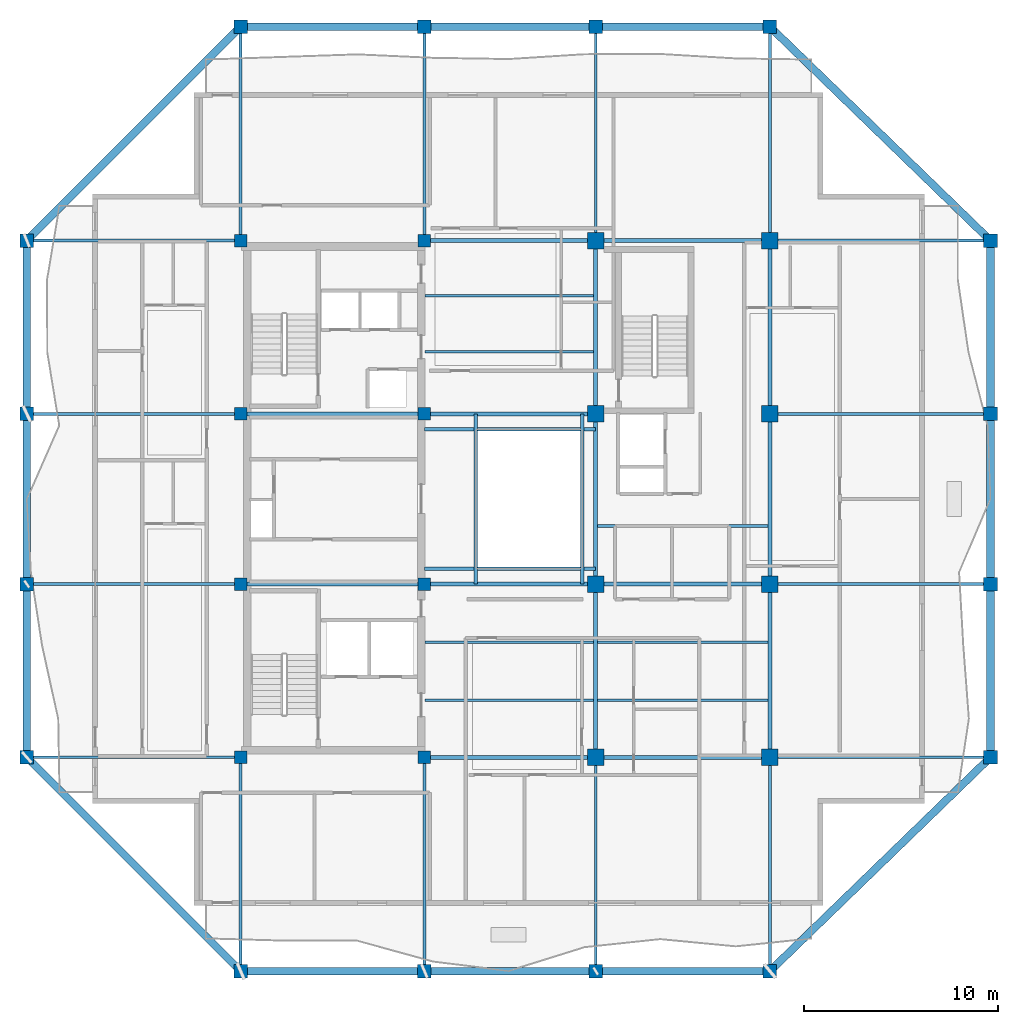
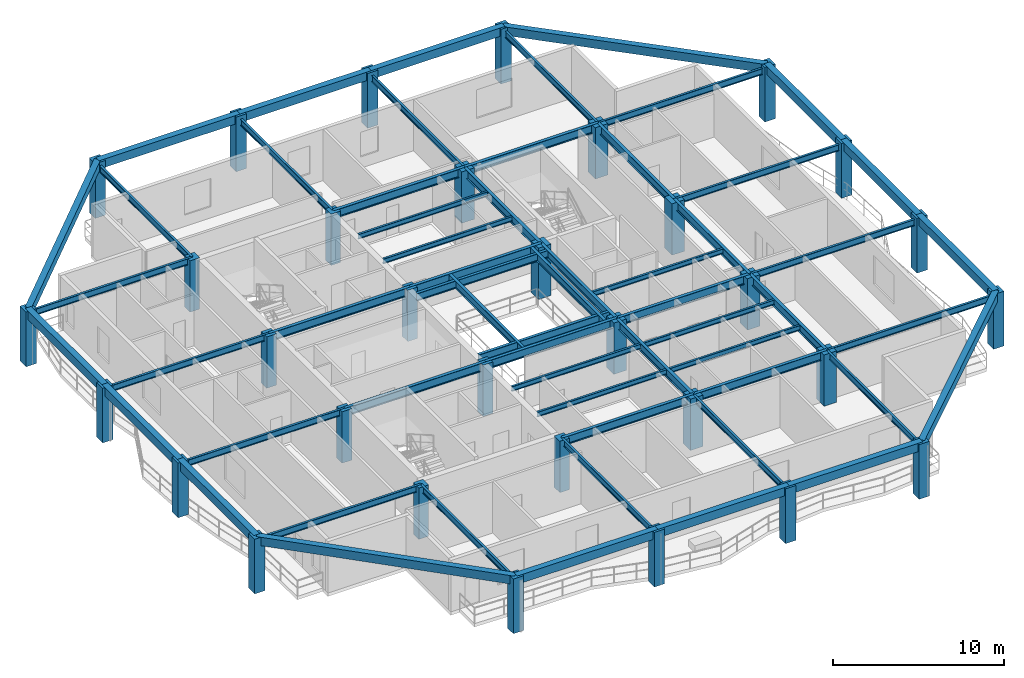
# One storey, part 1 of 11: 58 beams, 32 columns.
"""IFC4 building model written with IfcOpenShell, lengths in metres."""

from ifc_helpers import new_model, si_unit, direction, frame, origin, origin_2d, place, context, subcontext, project, spatial, rectangle, i_section, extrude, material, material_profile, profile_set, type_object, element, save


model = new_model("IFC4")

# Units and contexts
model_context = context("Model", 3, precision=1e-05, world=origin(), true_north=direction((0.0, 1.0)))
body_context = subcontext(model_context, "Body", "Model", "MODEL_VIEW")
ifc_project = project(units=[si_unit("LENGTHUNIT", "METRE"), si_unit("AREAUNIT", "SQUARE_METRE"), si_unit("VOLUMEUNIT", "CUBIC_METRE"), si_unit("PLANEANGLEUNIT", "RADIAN"), si_unit("MASSUNIT", "GRAM", prefix="KILO")], contexts=[model_context])

# Site, building, storey
site_placement = place(None, origin())
site = spatial("IfcSite", under=ifc_project, at=site_placement, CompositionType="ELEMENT")
building_placement = place(site_placement, origin())
building = spatial("IfcBuilding", under=site, at=building_placement, Name="Kundavana Baori Tower", CompositionType="ELEMENT")
storey_placement = place(building_placement, frame((0.0, 0.0, 257.0)))
storey = spatial("IfcBuildingStorey", under=building, at=storey_placement, Name="L63", CompositionType="ELEMENT", Elevation=257.0)

# Columns
ifc_material_1 = material(Name="Concrete C50/60", Category="concrete")
ifc_material_profile_1 = material_profile(ifc_material_1, rectangle(XDim=0.699951171875, YDim=0.699951171875, at=origin_2d()), Name="RC PF 700x700")
ifc_profile_set_1 = profile_set([ifc_material_profile_1], Name="Concrete C50/60")
column_type_1 = type_object("IfcColumnType", Name="COL-PF-700", PredefinedType="COLUMN", material=ifc_profile_set_1)
for number, where, z_axis, x_axis, name in (
    (1, (15.449951171875, 4.199951171875, 0.0), (0.0, 0.0, 1.0), (1.0, 0.0, 0.0), "L63 Stone-Clad Perimeter Frame Column PF-S1"),
    (2, (15.449951171875, 53.0, 0.0), (0.0, 0.0, 1.0), (1.0, 0.0, 0.0), "L63 Stone-Clad Perimeter Frame Column PF-N1"),
    (3, (24.949951171875, 4.199951171875, 0.0), (0.0, 0.0, 1.0), (1.0, 0.0, 0.0), "L63 Stone-Clad Perimeter Frame Column PF-S2"),
    (4, (24.949951171875, 53.0, 0.0), (0.0, 0.0, 1.0), (1.0, 0.0, 0.0), "L63 Stone-Clad Perimeter Frame Column PF-N2"),
    (5, (33.800048828125, 4.199951171875, 0.0), (0.0, 0.0, 1.0), (1.0, 0.0, 0.0), "L63 Stone-Clad Perimeter Frame Column PF-S3"),
    (6, (33.800048828125, 53.0, 0.0), (0.0, 0.0, 1.0), (1.0, 0.0, 0.0), "L63 Stone-Clad Perimeter Frame Column PF-N3"),
    (7, (42.800048828125, 4.199951171875, 0.0), (0.0, 0.0, 1.0), (1.0, 0.0, 0.0), "L63 Stone-Clad Perimeter Frame Column PF-S4"),
    (8, (42.800048828125, 53.0, 0.0), (0.0, 0.0, 1.0), (1.0, 0.0, 0.0), "L63 Stone-Clad Perimeter Frame Column PF-N4"),
    (9, (4.39990234375, 15.25, 0.0), (0.0, 0.0, 1.0), (1.0, 0.0, 0.0), "L63 Stone-Clad Perimeter Frame Column PF-W1"),
    (10, (54.199951171875, 15.25, 0.0), (0.0, 0.0, 1.0), (1.0, 0.0, 0.0), "L63 Stone-Clad Perimeter Frame Column PF-E1"),
    (11, (4.39990234375, 24.199951171875, 0.0), (0.0, 0.0, 1.0), (1.0, 0.0, 0.0), "L63 Stone-Clad Perimeter Frame Column PF-W2"),
    (12, (54.199951171875, 24.199951171875, 0.0), (0.0, 0.0, 1.0), (1.0, 0.0, 0.0), "L63 Stone-Clad Perimeter Frame Column PF-E2"),
    (13, (4.39990234375, 33.0, 0.0), (0.0, 0.0, 1.0), (1.0, 0.0, 0.0), "L63 Stone-Clad Perimeter Frame Column PF-W3"),
    (14, (54.199951171875, 33.0, 0.0), (0.0, 0.0, 1.0), (1.0, 0.0, 0.0), "L63 Stone-Clad Perimeter Frame Column PF-E3"),
    (15, (4.39990234375, 41.949951171875, 0.0), (0.0, 0.0, 1.0), (1.0, 0.0, 0.0), "L63 Stone-Clad Perimeter Frame Column PF-W4"),
    (16, (54.199951171875, 41.949951171875, 0.0), (0.0, 0.0, 1.0), (1.0, 0.0, 0.0), "L63 Stone-Clad Perimeter Frame Column PF-E4"),
):
    element("IfcColumn", number, at=place(storey_placement, frame(where, z_axis=z_axis, x_axis=x_axis)), inside=storey, type_object=column_type_1, Name=name, PredefinedType="COLUMN", context=body_context, shape_type="SweptSolid", body=[
        extrude(rectangle(XDim=0.699951171875, YDim=0.699951171875, at=origin_2d()), origin(), (0.0, 0.0, 1.0), 3.89990234375),
    ])
ifc_material_2 = material(Name="Concrete C50/60", Category="concrete")
ifc_material_profile_2 = material_profile(ifc_material_2, rectangle(XDim=0.64990234375, YDim=0.64990234375, at=origin_2d()), Name="RC 650x650")
ifc_profile_set_2 = profile_set([ifc_material_profile_2], Name="Concrete C50/60")
column_type_2 = type_object("IfcColumnType", Name="COL-RC-650", PredefinedType="COLUMN", material=ifc_profile_set_2)
for number, where, z_axis, x_axis, name in (
    (17, (15.449951171875, 15.25, 0.0), (0.0, 0.0, 1.0), (1.0, 0.0, 0.0), "L63 Interior Column IC-3C"),
    (18, (15.449951171875, 24.199951171875, 0.0), (0.0, 0.0, 1.0), (1.0, 0.0, 0.0), "L63 Interior Column IC-3D"),
    (19, (15.449951171875, 33.0, 0.0), (0.0, 0.0, 1.0), (1.0, 0.0, 0.0), "L63 Interior Column IC-3E"),
    (20, (15.449951171875, 41.949951171875, 0.0), (0.0, 0.0, 1.0), (1.0, 0.0, 0.0), "L63 Interior Column IC-3F"),
    (21, (24.949951171875, 15.25, 0.0), (0.0, 0.0, 1.0), (1.0, 0.0, 0.0), "L63 Interior Column IC-4C"),
    (22, (24.949951171875, 24.199951171875, 0.0), (0.0, 0.0, 1.0), (1.0, 0.0, 0.0), "L63 Interior Column IC-4D"),
    (23, (24.949951171875, 33.0, 0.0), (0.0, 0.0, 1.0), (1.0, 0.0, 0.0), "L63 Interior Column IC-4E"),
    (24, (24.949951171875, 41.949951171875, 0.0), (0.0, 0.0, 1.0), (1.0, 0.0, 0.0), "L63 Interior Column IC-4F"),
):
    element("IfcColumn", number, at=place(storey_placement, frame(where, z_axis=z_axis, x_axis=x_axis)), inside=storey, type_object=column_type_2, Name=name, PredefinedType="COLUMN", context=body_context, shape_type="SweptSolid", body=[
        extrude(rectangle(XDim=0.64990234375, YDim=0.64990234375, at=origin_2d()), origin(), (0.0, 0.0, 1.0), 3.659912109375),
    ])
ifc_material_3 = material(Name="Concrete C50/60", Category="concrete")
ifc_material_profile_3 = material_profile(ifc_material_3, rectangle(XDim=0.85009765625, YDim=0.85009765625, at=origin_2d()), Name="RC 850x850")
ifc_profile_set_3 = profile_set([ifc_material_profile_3], Name="Concrete C50/60")
column_type_3 = type_object("IfcColumnType", Name="COL-RC-850", PredefinedType="COLUMN", material=ifc_profile_set_3)
for number, where, z_axis, x_axis, name in (
    (25, (33.800048828125, 15.25, 0.0), (0.0, 0.0, 1.0), (1.0, 0.0, 0.0), "L63 Interior Column IC-5C"),
    (26, (33.800048828125, 24.199951171875, 0.0), (0.0, 0.0, 1.0), (1.0, 0.0, 0.0), "L63 Interior Column IC-5D"),
    (27, (33.800048828125, 33.0, 0.0), (0.0, 0.0, 1.0), (1.0, 0.0, 0.0), "L63 Interior Column IC-5E"),
    (28, (33.800048828125, 41.949951171875, 0.0), (0.0, 0.0, 1.0), (1.0, 0.0, 0.0), "L63 Interior Column IC-5F"),
    (29, (42.800048828125, 15.25, 0.0), (0.0, 0.0, 1.0), (1.0, 0.0, 0.0), "L63 Interior Column IC-6C"),
    (30, (42.800048828125, 24.199951171875, 0.0), (0.0, 0.0, 1.0), (1.0, 0.0, 0.0), "L63 Interior Column IC-6D"),
    (31, (42.800048828125, 33.0, 0.0), (0.0, 0.0, 1.0), (1.0, 0.0, 0.0), "L63 Interior Column IC-6E"),
    (32, (42.800048828125, 41.949951171875, 0.0), (0.0, 0.0, 1.0), (1.0, 0.0, 0.0), "L63 Interior Column IC-6F"),
):
    element("IfcColumn", number, at=place(storey_placement, frame(where, z_axis=z_axis, x_axis=x_axis)), inside=storey, type_object=column_type_3, Name=name, PredefinedType="COLUMN", context=body_context, shape_type="SweptSolid", body=[
        extrude(rectangle(XDim=0.85009765625, YDim=0.85009765625, at=origin_2d()), origin(), (0.0, 0.0, 1.0), 3.659912109375),
    ])

# Beams
ifc_material_4 = material(Name="Structural Steel S355JR", Category="steel")
ifc_material_profile_4 = material_profile(ifc_material_4, i_section(OverallWidth=0.139892578125, OverallDepth=0.35009765625, WebThickness=0.008056640625, FlangeThickness=0.01416015625, FilletRadius=0.013916015625, at=origin_2d()), Name="ISMB 350")
ifc_profile_set_4 = profile_set([ifc_material_profile_4], Name="Structural Steel S355JR")
beam_type_1 = type_object("IfcBeamType", Name="BM-JST-350", PredefinedType="JOIST", material=ifc_profile_set_4)
for number, where, z_axis, x_axis, name in (
    (33, (24.97998046875, 18.199951171875, 3.485107421875), (1.0, 0.0, 0.0), (0.0, 1.0, 0.0), "L63 Central Bay Composite Floor Joist C1"),
    (34, (24.97998046875, 21.199951171875, 3.485107421875), (1.0, 0.0, 0.0), (0.0, 1.0, 0.0), "L63 Central Bay Composite Floor Joist C2"),
    (35, (24.97998046875, 36.199951171875, 3.485107421875), (1.0, 0.0, 0.0), (0.0, 1.0, 0.0), "L63 Central Bay Composite Floor Joist C3"),
    (36, (24.97998046875, 39.10009765625, 3.485107421875), (1.0, 0.0, 0.0), (0.0, 1.0, 0.0), "L63 Central Bay Composite Floor Joist C4"),
):
    element("IfcBeam", number, at=place(storey_placement, frame(where, z_axis=z_axis, x_axis=x_axis)), inside=storey, type_object=beam_type_1, Name=name, PredefinedType="JOIST", context=body_context, shape_type="SweptSolid", body=[
        extrude(i_section(OverallWidth=0.139892578125, OverallDepth=0.35009765625, WebThickness=0.008056640625, FlangeThickness=0.01416015625, FilletRadius=0.013916015625, at=origin_2d()), origin(), (0.0, 0.0, 1.0), 8.715087890625),
    ])
for number, where, z_axis, x_axis, name in (
    (37, (33.905029296875, 18.199951171875, 3.485107421875), (1.0, 0.0, 0.0), (0.0, 1.0, 0.0), "L63 East Bay Composite Floor Joist E1"),
    (38, (33.905029296875, 21.199951171875, 3.485107421875), (1.0, 0.0, 0.0), (0.0, 1.0, 0.0), "L63 East Bay Composite Floor Joist E2"),
    (39, (33.905029296875, 27.199951171875, 3.485107421875), (1.0, 0.0, 0.0), (0.0, 1.0, 0.0), "L63 East Bay Composite Floor Joist E3"),
):
    element("IfcBeam", number, at=place(storey_placement, frame(where, z_axis=z_axis, x_axis=x_axis)), inside=storey, type_object=beam_type_1, Name=name, PredefinedType="JOIST", context=body_context, shape_type="SweptSolid", body=[
        extrude(i_section(OverallWidth=0.139892578125, OverallDepth=0.35009765625, WebThickness=0.008056640625, FlangeThickness=0.01416015625, FilletRadius=0.013916015625, at=origin_2d()), origin(), (0.0, 0.0, 1.0), 8.7900390625),
    ])
ifc_material_5 = material(Name="Concrete C50/60", Category="concrete")
ifc_material_profile_5 = material_profile(ifc_material_5, rectangle(XDim=0.39990234375, YDim=0.60009765625, at=origin_2d()), Name="RC BM 400x600")
ifc_profile_set_5 = profile_set([ifc_material_profile_5], Name="Concrete C50/60")
beam_type_2 = type_object("IfcBeamType", Name="BM-PF-600", PredefinedType="SPANDREL", material=ifc_profile_set_5)
beam_1_placement = place(storey_placement, frame((15.449951171875, 4.199951171875, 3.60009765625), z_axis=(1.0, 0.0, 0.0), x_axis=(0.0, 1.0, 0.0)))
element("IfcBeam", 40, at=beam_1_placement, inside=storey, type_object=beam_type_2, Name="L63 Perimeter Frame Ring Beam S1", PredefinedType="SPANDREL", context=body_context, shape_type="SweptSolid", body=[
    extrude(rectangle(XDim=0.39990234375, YDim=0.60009765625, at=origin_2d()), origin(), (0.0, 0.0, 1.0), 9.5),
])
beam_2_placement = place(storey_placement, frame((24.949951171875, 4.199951171875, 3.60009765625), z_axis=(1.0, 0.0, 0.0), x_axis=(0.0, 1.0, 0.0)))
element("IfcBeam", 41, at=beam_2_placement, inside=storey, type_object=beam_type_2, Name="L63 Perimeter Frame Ring Beam S2", PredefinedType="SPANDREL", context=body_context, shape_type="SweptSolid", body=[
    extrude(rectangle(XDim=0.39990234375, YDim=0.60009765625, at=origin_2d()), origin(), (0.0, 0.0, 1.0), 8.85009765625),
])
beam_3_placement = place(storey_placement, frame((33.800048828125, 4.199951171875, 3.60009765625), z_axis=(1.0, 0.0, 0.0), x_axis=(0.0, 1.0, 0.0)))
element("IfcBeam", 42, at=beam_3_placement, inside=storey, type_object=beam_type_2, Name="L63 Perimeter Frame Ring Beam S3", PredefinedType="SPANDREL", context=body_context, shape_type="SweptSolid", body=[
    extrude(rectangle(XDim=0.39990234375, YDim=0.60009765625, at=origin_2d()), origin(), (0.0, 0.0, 1.0), 9.0),
])
beam_4_placement = place(storey_placement, frame((15.449951171875, 53.0, 3.60009765625), z_axis=(1.0, 0.0, 0.0), x_axis=(0.0, 1.0, 0.0)))
element("IfcBeam", 43, at=beam_4_placement, inside=storey, type_object=beam_type_2, Name="L63 Perimeter Frame Ring Beam N1", PredefinedType="SPANDREL", context=body_context, shape_type="SweptSolid", body=[
    extrude(rectangle(XDim=0.39990234375, YDim=0.60009765625, at=origin_2d()), origin(), (0.0, 0.0, 1.0), 9.5),
])
beam_5_placement = place(storey_placement, frame((24.949951171875, 53.0, 3.60009765625), z_axis=(1.0, 0.0, 0.0), x_axis=(0.0, 1.0, 0.0)))
element("IfcBeam", 44, at=beam_5_placement, inside=storey, type_object=beam_type_2, Name="L63 Perimeter Frame Ring Beam N2", PredefinedType="SPANDREL", context=body_context, shape_type="SweptSolid", body=[
    extrude(rectangle(XDim=0.39990234375, YDim=0.60009765625, at=origin_2d()), origin(), (0.0, 0.0, 1.0), 8.85009765625),
])
beam_6_placement = place(storey_placement, frame((33.800048828125, 53.0, 3.60009765625), z_axis=(1.0, 0.0, 0.0), x_axis=(0.0, 1.0, 0.0)))
element("IfcBeam", 45, at=beam_6_placement, inside=storey, type_object=beam_type_2, Name="L63 Perimeter Frame Ring Beam N3", PredefinedType="SPANDREL", context=body_context, shape_type="SweptSolid", body=[
    extrude(rectangle(XDim=0.39990234375, YDim=0.60009765625, at=origin_2d()), origin(), (0.0, 0.0, 1.0), 9.0),
])
beam_7_placement = place(storey_placement, frame((4.39990234375, 15.25, 3.60009765625), z_axis=(0.0, 1.0, 0.0), x_axis=(-1.0, 0.0, 0.0)))
element("IfcBeam", 46, at=beam_7_placement, inside=storey, type_object=beam_type_2, Name="L63 Perimeter Frame Ring Beam W1", PredefinedType="SPANDREL", context=body_context, shape_type="SweptSolid", body=[
    extrude(rectangle(XDim=0.39990234375, YDim=0.60009765625, at=origin_2d()), origin(), (0.0, 0.0, 1.0), 8.949951171875),
])
beam_8_placement = place(storey_placement, frame((4.39990234375, 24.199951171875, 3.60009765625), z_axis=(0.0, 1.0, 0.0), x_axis=(-1.0, 0.0, 0.0)))
element("IfcBeam", 47, at=beam_8_placement, inside=storey, type_object=beam_type_2, Name="L63 Perimeter Frame Ring Beam W2", PredefinedType="SPANDREL", context=body_context, shape_type="SweptSolid", body=[
    extrude(rectangle(XDim=0.39990234375, YDim=0.60009765625, at=origin_2d()), origin(), (0.0, 0.0, 1.0), 8.800048828125),
])
for number, where, z_axis, x_axis, name in (
    (48, (4.39990234375, 33.0, 3.60009765625), (0.0, 1.0, 0.0), (-1.0, 0.0, 0.0), "L63 Perimeter Frame Ring Beam W3"),
    (49, (54.199951171875, 15.25, 3.60009765625), (0.0, 1.0, 0.0), (-1.0, 0.0, 0.0), "L63 Perimeter Frame Ring Beam E1"),
):
    element("IfcBeam", number, at=place(storey_placement, frame(where, z_axis=z_axis, x_axis=x_axis)), inside=storey, type_object=beam_type_2, Name=name, PredefinedType="SPANDREL", context=body_context, shape_type="SweptSolid", body=[
        extrude(rectangle(XDim=0.39990234375, YDim=0.60009765625, at=origin_2d()), origin(), (0.0, 0.0, 1.0), 8.949951171875),
    ])
beam_9_placement = place(storey_placement, frame((54.199951171875, 24.199951171875, 3.60009765625), z_axis=(0.0, 1.0, 0.0), x_axis=(-1.0, 0.0, 0.0)))
element("IfcBeam", 50, at=beam_9_placement, inside=storey, type_object=beam_type_2, Name="L63 Perimeter Frame Ring Beam E2", PredefinedType="SPANDREL", context=body_context, shape_type="SweptSolid", body=[
    extrude(rectangle(XDim=0.39990234375, YDim=0.60009765625, at=origin_2d()), origin(), (0.0, 0.0, 1.0), 8.800048828125),
])
beam_10_placement = place(storey_placement, frame((54.199951171875, 33.0, 3.60009765625), z_axis=(0.0, 1.0, 0.0), x_axis=(-1.0, 0.0, 0.0)))
element("IfcBeam", 51, at=beam_10_placement, inside=storey, type_object=beam_type_2, Name="L63 Perimeter Frame Ring Beam E3", PredefinedType="SPANDREL", context=body_context, shape_type="SweptSolid", body=[
    extrude(rectangle(XDim=0.39990234375, YDim=0.60009765625, at=origin_2d()), origin(), (0.0, 0.0, 1.0), 8.949951171875),
])
beam_11_placement = place(storey_placement, frame((15.449951171875, 4.199951171875, 3.60009765625), z_axis=(-0.707106781187, 0.707106781187, 0.0), x_axis=(-0.707106781187, -0.707106781187, 0.0)))
element("IfcBeam", 52, at=beam_11_placement, inside=storey, type_object=beam_type_2, Name="L63 Notched Corner Perimeter Beam SW", PredefinedType="SPANDREL", context=body_context, shape_type="SweptSolid", body=[
    extrude(rectangle(XDim=0.39990234375, YDim=0.60009765625, at=origin_2d()), origin(), (0.0, 0.0, 1.0), 15.627197265625),
])
beam_12_placement = place(storey_placement, frame((42.800048828125, 4.199951171875, 3.60009765625), z_axis=(0.718038944492, 0.696002926857, 0.0), x_axis=(-0.696002926857, 0.718038944492, 0.0)))
element("IfcBeam", 53, at=beam_12_placement, inside=storey, type_object=beam_type_2, Name="L63 Notched Corner Perimeter Beam SE", PredefinedType="SPANDREL", context=body_context, shape_type="SweptSolid", body=[
    extrude(rectangle(XDim=0.39990234375, YDim=0.60009765625, at=origin_2d()), origin(), (0.0, 0.0, 1.0), 15.87646484375),
])
beam_13_placement = place(storey_placement, frame((15.449951171875, 53.0, 3.60009765625), z_axis=(-0.707106781187, -0.707106781187, 0.0), x_axis=(0.707106781187, -0.707106781187, 0.0)))
element("IfcBeam", 54, at=beam_13_placement, inside=storey, type_object=beam_type_2, Name="L63 Notched Corner Perimeter Beam NW", PredefinedType="SPANDREL", context=body_context, shape_type="SweptSolid", body=[
    extrude(rectangle(XDim=0.39990234375, YDim=0.60009765625, at=origin_2d()), origin(), (0.0, 0.0, 1.0), 15.627197265625),
])
beam_14_placement = place(storey_placement, frame((42.800048828125, 53.0, 3.60009765625), z_axis=(0.718038944492, -0.696002926857, 0.0), x_axis=(0.696002926857, 0.718038944492, 0.0)))
element("IfcBeam", 55, at=beam_14_placement, inside=storey, type_object=beam_type_2, Name="L63 Notched Corner Perimeter Beam NE", PredefinedType="SPANDREL", context=body_context, shape_type="SweptSolid", body=[
    extrude(rectangle(XDim=0.39990234375, YDim=0.60009765625, at=origin_2d()), origin(), (0.0, 0.0, 1.0), 15.87646484375),
])
ifc_material_6 = material(Name="Structural Steel S355JR", Category="steel")
ifc_material_profile_6 = material_profile(ifc_material_6, i_section(OverallWidth=0.18994140625, OverallDepth=0.550048828125, WebThickness=0.01123046875, FlangeThickness=0.019287109375, FilletRadius=0.01806640625, at=origin_2d()), Name="ISMB 550")
ifc_profile_set_6 = profile_set([ifc_material_profile_6], Name="Structural Steel S355JR")
beam_type_3 = type_object("IfcBeamType", Name="BM-ST-550", PredefinedType="BEAM", material=ifc_profile_set_6)
for number, where, z_axis, x_axis, name in (
    (56, (27.60009765625, 24.199951171875, 3.385009765625), (0.0, 1.0, 0.0), (-1.0, 0.0, 0.0), "L63 Atrium West Edge Beam"),
    (57, (33.10009765625, 24.199951171875, 3.385009765625), (0.0, 1.0, 0.0), (-1.0, 0.0, 0.0), "L63 Atrium East Edge Beam"),
):
    element("IfcBeam", number, at=place(storey_placement, frame(where, z_axis=z_axis, x_axis=x_axis)), inside=storey, type_object=beam_type_3, Name=name, PredefinedType="BEAM", context=body_context, shape_type="SweptSolid", body=[
        extrude(i_section(OverallWidth=0.18994140625, OverallDepth=0.550048828125, WebThickness=0.01123046875, FlangeThickness=0.019287109375, FilletRadius=0.01806640625, at=origin_2d()), origin(), (0.0, 0.0, 1.0), 8.800048828125),
    ])
for number, where, z_axis, x_axis, name in (
    (58, (24.949951171875, 25.0, 3.385009765625), (1.0, 0.0, 0.0), (0.0, 1.0, 0.0), "L63 Atrium South Edge Beam"),
    (59, (24.949951171875, 32.199951171875, 3.385009765625), (1.0, 0.0, 0.0), (0.0, 1.0, 0.0), "L63 Atrium North Edge Beam"),
):
    element("IfcBeam", number, at=place(storey_placement, frame(where, z_axis=z_axis, x_axis=x_axis)), inside=storey, type_object=beam_type_3, Name=name, PredefinedType="BEAM", context=body_context, shape_type="SweptSolid", body=[
        extrude(i_section(OverallWidth=0.18994140625, OverallDepth=0.550048828125, WebThickness=0.01123046875, FlangeThickness=0.019287109375, FilletRadius=0.01806640625, at=origin_2d()), origin(), (0.0, 0.0, 1.0), 8.85009765625),
    ])
ifc_material_7 = material(Name="Structural Steel S355JR", Category="steel")
ifc_material_profile_7 = material_profile(ifc_material_7, i_section(OverallWidth=0.2099609375, OverallDepth=0.60009765625, WebThickness=0.011962890625, FlangeThickness=0.020751953125, FilletRadius=0.02001953125, at=origin_2d()), Name="ISMB 600")
ifc_profile_set_7 = profile_set([ifc_material_profile_7], Name="Structural Steel S355JR")
beam_type_4 = type_object("IfcBeamType", Name="BM-ST-600", PredefinedType="BEAM", material=ifc_profile_set_7)
beam_15_placement = place(storey_placement, frame((24.949951171875, 15.25, 3.360107421875), z_axis=(1.0, 0.0, 0.0), x_axis=(0.0, 1.0, 0.0)))
element("IfcBeam", 60, at=beam_15_placement, inside=storey, type_object=beam_type_4, Name="L63 Primary Grid Girder GX-1-2", PredefinedType="BEAM", context=body_context, shape_type="SweptSolid", body=[
    extrude(i_section(OverallWidth=0.2099609375, OverallDepth=0.60009765625, WebThickness=0.011962890625, FlangeThickness=0.020751953125, FilletRadius=0.02001953125, at=origin_2d()), origin(), (0.0, 0.0, 1.0), 8.85009765625),
])
beam_16_placement = place(storey_placement, frame((33.800048828125, 15.25, 3.360107421875), z_axis=(1.0, 0.0, 0.0), x_axis=(0.0, 1.0, 0.0)))
element("IfcBeam", 61, at=beam_16_placement, inside=storey, type_object=beam_type_4, Name="L63 Primary Grid Girder GX-1-3", PredefinedType="BEAM", context=body_context, shape_type="SweptSolid", body=[
    extrude(i_section(OverallWidth=0.2099609375, OverallDepth=0.60009765625, WebThickness=0.011962890625, FlangeThickness=0.020751953125, FilletRadius=0.02001953125, at=origin_2d()), origin(), (0.0, 0.0, 1.0), 9.0),
])
beam_17_placement = place(storey_placement, frame((15.449951171875, 24.199951171875, 3.360107421875), z_axis=(1.0, 0.0, 0.0), x_axis=(0.0, 1.0, 0.0)))
element("IfcBeam", 62, at=beam_17_placement, inside=storey, type_object=beam_type_4, Name="L63 Primary Grid Girder GX-2-1", PredefinedType="BEAM", context=body_context, shape_type="SweptSolid", body=[
    extrude(i_section(OverallWidth=0.2099609375, OverallDepth=0.60009765625, WebThickness=0.011962890625, FlangeThickness=0.020751953125, FilletRadius=0.02001953125, at=origin_2d()), origin(), (0.0, 0.0, 1.0), 9.5),
])
beam_18_placement = place(storey_placement, frame((24.949951171875, 24.199951171875, 3.360107421875), z_axis=(1.0, 0.0, 0.0), x_axis=(0.0, 1.0, 0.0)))
element("IfcBeam", 63, at=beam_18_placement, inside=storey, type_object=beam_type_4, Name="L63 Primary Grid Girder GX-2-2", PredefinedType="BEAM", context=body_context, shape_type="SweptSolid", body=[
    extrude(i_section(OverallWidth=0.2099609375, OverallDepth=0.60009765625, WebThickness=0.011962890625, FlangeThickness=0.020751953125, FilletRadius=0.02001953125, at=origin_2d()), origin(), (0.0, 0.0, 1.0), 8.85009765625),
])
beam_19_placement = place(storey_placement, frame((33.800048828125, 24.199951171875, 3.360107421875), z_axis=(1.0, 0.0, 0.0), x_axis=(0.0, 1.0, 0.0)))
element("IfcBeam", 64, at=beam_19_placement, inside=storey, type_object=beam_type_4, Name="L63 Primary Grid Girder GX-2-3", PredefinedType="BEAM", context=body_context, shape_type="SweptSolid", body=[
    extrude(i_section(OverallWidth=0.2099609375, OverallDepth=0.60009765625, WebThickness=0.011962890625, FlangeThickness=0.020751953125, FilletRadius=0.02001953125, at=origin_2d()), origin(), (0.0, 0.0, 1.0), 9.0),
])
beam_20_placement = place(storey_placement, frame((15.449951171875, 33.0, 3.360107421875), z_axis=(1.0, 0.0, 0.0), x_axis=(0.0, 1.0, 0.0)))
element("IfcBeam", 65, at=beam_20_placement, inside=storey, type_object=beam_type_4, Name="L63 Primary Grid Girder GX-3-1", PredefinedType="BEAM", context=body_context, shape_type="SweptSolid", body=[
    extrude(i_section(OverallWidth=0.2099609375, OverallDepth=0.60009765625, WebThickness=0.011962890625, FlangeThickness=0.020751953125, FilletRadius=0.02001953125, at=origin_2d()), origin(), (0.0, 0.0, 1.0), 9.5),
])
for number, where, z_axis, x_axis, name in (
    (66, (24.949951171875, 33.0, 3.360107421875), (1.0, 0.0, 0.0), (0.0, 1.0, 0.0), "L63 Primary Grid Girder GX-3-2"),
    (67, (24.949951171875, 41.949951171875, 3.360107421875), (1.0, 0.0, 0.0), (0.0, 1.0, 0.0), "L63 Primary Grid Girder GX-4-2"),
):
    element("IfcBeam", number, at=place(storey_placement, frame(where, z_axis=z_axis, x_axis=x_axis)), inside=storey, type_object=beam_type_4, Name=name, PredefinedType="BEAM", context=body_context, shape_type="SweptSolid", body=[
        extrude(i_section(OverallWidth=0.2099609375, OverallDepth=0.60009765625, WebThickness=0.011962890625, FlangeThickness=0.020751953125, FilletRadius=0.02001953125, at=origin_2d()), origin(), (0.0, 0.0, 1.0), 8.85009765625),
    ])
beam_21_placement = place(storey_placement, frame((33.800048828125, 41.949951171875, 3.360107421875), z_axis=(1.0, 0.0, 0.0), x_axis=(0.0, 1.0, 0.0)))
element("IfcBeam", 68, at=beam_21_placement, inside=storey, type_object=beam_type_4, Name="L63 Primary Grid Girder GX-4-3", PredefinedType="BEAM", context=body_context, shape_type="SweptSolid", body=[
    extrude(i_section(OverallWidth=0.2099609375, OverallDepth=0.60009765625, WebThickness=0.011962890625, FlangeThickness=0.020751953125, FilletRadius=0.02001953125, at=origin_2d()), origin(), (0.0, 0.0, 1.0), 9.0),
])
beam_22_placement = place(storey_placement, frame((33.800048828125, 15.25, 3.360107421875), z_axis=(0.0, 1.0, 0.0), x_axis=(-1.0, 0.0, 0.0)))
element("IfcBeam", 69, at=beam_22_placement, inside=storey, type_object=beam_type_4, Name="L63 Primary Grid Girder GY-3-1", PredefinedType="BEAM", context=body_context, shape_type="SweptSolid", body=[
    extrude(i_section(OverallWidth=0.2099609375, OverallDepth=0.60009765625, WebThickness=0.011962890625, FlangeThickness=0.020751953125, FilletRadius=0.02001953125, at=origin_2d()), origin(), (0.0, 0.0, 1.0), 8.949951171875),
])
beam_23_placement = place(storey_placement, frame((33.800048828125, 24.199951171875, 3.360107421875), z_axis=(0.0, 1.0, 0.0), x_axis=(-1.0, 0.0, 0.0)))
element("IfcBeam", 70, at=beam_23_placement, inside=storey, type_object=beam_type_4, Name="L63 Primary Grid Girder GY-3-2", PredefinedType="BEAM", context=body_context, shape_type="SweptSolid", body=[
    extrude(i_section(OverallWidth=0.2099609375, OverallDepth=0.60009765625, WebThickness=0.011962890625, FlangeThickness=0.020751953125, FilletRadius=0.02001953125, at=origin_2d()), origin(), (0.0, 0.0, 1.0), 8.800048828125),
])
for number, where, z_axis, x_axis, name in (
    (71, (33.800048828125, 33.0, 3.360107421875), (0.0, 1.0, 0.0), (-1.0, 0.0, 0.0), "L63 Primary Grid Girder GY-3-3"),
    (72, (42.800048828125, 15.25, 3.360107421875), (0.0, 1.0, 0.0), (-1.0, 0.0, 0.0), "L63 Primary Grid Girder GY-4-1"),
):
    element("IfcBeam", number, at=place(storey_placement, frame(where, z_axis=z_axis, x_axis=x_axis)), inside=storey, type_object=beam_type_4, Name=name, PredefinedType="BEAM", context=body_context, shape_type="SweptSolid", body=[
        extrude(i_section(OverallWidth=0.2099609375, OverallDepth=0.60009765625, WebThickness=0.011962890625, FlangeThickness=0.020751953125, FilletRadius=0.02001953125, at=origin_2d()), origin(), (0.0, 0.0, 1.0), 8.949951171875),
    ])
beam_24_placement = place(storey_placement, frame((42.800048828125, 24.199951171875, 3.360107421875), z_axis=(0.0, 1.0, 0.0), x_axis=(-1.0, 0.0, 0.0)))
element("IfcBeam", 73, at=beam_24_placement, inside=storey, type_object=beam_type_4, Name="L63 Primary Grid Girder GY-4-2", PredefinedType="BEAM", context=body_context, shape_type="SweptSolid", body=[
    extrude(i_section(OverallWidth=0.2099609375, OverallDepth=0.60009765625, WebThickness=0.011962890625, FlangeThickness=0.020751953125, FilletRadius=0.02001953125, at=origin_2d()), origin(), (0.0, 0.0, 1.0), 8.800048828125),
])
beam_25_placement = place(storey_placement, frame((42.800048828125, 33.0, 3.360107421875), z_axis=(0.0, 1.0, 0.0), x_axis=(-1.0, 0.0, 0.0)))
element("IfcBeam", 74, at=beam_25_placement, inside=storey, type_object=beam_type_4, Name="L63 Primary Grid Girder GY-4-3", PredefinedType="BEAM", context=body_context, shape_type="SweptSolid", body=[
    extrude(i_section(OverallWidth=0.2099609375, OverallDepth=0.60009765625, WebThickness=0.011962890625, FlangeThickness=0.020751953125, FilletRadius=0.02001953125, at=origin_2d()), origin(), (0.0, 0.0, 1.0), 8.949951171875),
])
ifc_material_8 = material(Name="Structural Steel S355JR", Category="steel")
ifc_material_profile_8 = material_profile(ifc_material_8, i_section(OverallWidth=0.14990234375, OverallDepth=0.449951171875, WebThickness=0.009521484375, FlangeThickness=0.017333984375, FilletRadius=0.014892578125, at=origin_2d()), Name="ISMB 450")
ifc_profile_set_8 = profile_set([ifc_material_profile_8], Name="Structural Steel S355JR")
beam_type_5 = type_object("IfcBeamType", Name="BM-TIE-450", PredefinedType="BEAM", material=ifc_profile_set_8)
for number, where, z_axis, x_axis, name in (
    (75, (15.449951171875, 15.25, 3.43505859375), (0.0, -1.0, 0.0), (1.0, 0.0, 0.0), "L63 South Radial Loggia Tie Beam S1"),
    (76, (15.449951171875, 41.949951171875, 3.43505859375), (0.0, 1.0, 0.0), (-1.0, 0.0, 0.0), "L63 North Radial Loggia Tie Beam N1"),
    (77, (24.949951171875, 15.25, 3.43505859375), (0.0, -1.0, 0.0), (1.0, 0.0, 0.0), "L63 South Radial Loggia Tie Beam S2"),
    (78, (24.949951171875, 41.949951171875, 3.43505859375), (0.0, 1.0, 0.0), (-1.0, 0.0, 0.0), "L63 North Radial Loggia Tie Beam N2"),
    (79, (33.800048828125, 15.25, 3.43505859375), (0.0, -1.0, 0.0), (1.0, 0.0, 0.0), "L63 South Radial Loggia Tie Beam S3"),
    (80, (33.800048828125, 41.949951171875, 3.43505859375), (0.0, 1.0, 0.0), (-1.0, 0.0, 0.0), "L63 North Radial Loggia Tie Beam N3"),
    (81, (42.800048828125, 15.25, 3.43505859375), (0.0, -1.0, 0.0), (1.0, 0.0, 0.0), "L63 South Radial Loggia Tie Beam S4"),
    (82, (42.800048828125, 41.949951171875, 3.43505859375), (0.0, 1.0, 0.0), (-1.0, 0.0, 0.0), "L63 North Radial Loggia Tie Beam N4"),
    (83, (15.449951171875, 15.25, 3.43505859375), (-1.0, 0.0, 0.0), (0.0, -1.0, 0.0), "L63 West Radial Loggia Tie Beam W1"),
):
    element("IfcBeam", number, at=place(storey_placement, frame(where, z_axis=z_axis, x_axis=x_axis)), inside=storey, type_object=beam_type_5, Name=name, PredefinedType="BEAM", context=body_context, shape_type="SweptSolid", body=[
        extrude(i_section(OverallWidth=0.14990234375, OverallDepth=0.449951171875, WebThickness=0.009521484375, FlangeThickness=0.017333984375, FilletRadius=0.014892578125, at=origin_2d()), origin(), (0.0, 0.0, 1.0), 11.050048828125),
    ])
beam_26_placement = place(storey_placement, frame((42.800048828125, 15.25, 3.43505859375), z_axis=(1.0, 0.0, 0.0), x_axis=(0.0, 1.0, 0.0)))
element("IfcBeam", 84, at=beam_26_placement, inside=storey, type_object=beam_type_5, Name="L63 East Radial Loggia Tie Beam E1", PredefinedType="BEAM", context=body_context, shape_type="SweptSolid", body=[
    extrude(i_section(OverallWidth=0.14990234375, OverallDepth=0.449951171875, WebThickness=0.009521484375, FlangeThickness=0.017333984375, FilletRadius=0.014892578125, at=origin_2d()), origin(), (0.0, 0.0, 1.0), 11.39990234375),
])
beam_27_placement = place(storey_placement, frame((15.449951171875, 24.199951171875, 3.43505859375), z_axis=(-1.0, 0.0, 0.0), x_axis=(0.0, -1.0, 0.0)))
element("IfcBeam", 85, at=beam_27_placement, inside=storey, type_object=beam_type_5, Name="L63 West Radial Loggia Tie Beam W2", PredefinedType="BEAM", context=body_context, shape_type="SweptSolid", body=[
    extrude(i_section(OverallWidth=0.14990234375, OverallDepth=0.449951171875, WebThickness=0.009521484375, FlangeThickness=0.017333984375, FilletRadius=0.014892578125, at=origin_2d()), origin(), (0.0, 0.0, 1.0), 11.050048828125),
])
beam_28_placement = place(storey_placement, frame((42.800048828125, 24.199951171875, 3.43505859375), z_axis=(1.0, 0.0, 0.0), x_axis=(0.0, 1.0, 0.0)))
element("IfcBeam", 86, at=beam_28_placement, inside=storey, type_object=beam_type_5, Name="L63 East Radial Loggia Tie Beam E2", PredefinedType="BEAM", context=body_context, shape_type="SweptSolid", body=[
    extrude(i_section(OverallWidth=0.14990234375, OverallDepth=0.449951171875, WebThickness=0.009521484375, FlangeThickness=0.017333984375, FilletRadius=0.014892578125, at=origin_2d()), origin(), (0.0, 0.0, 1.0), 11.39990234375),
])
beam_29_placement = place(storey_placement, frame((15.449951171875, 33.0, 3.43505859375), z_axis=(-1.0, 0.0, 0.0), x_axis=(0.0, -1.0, 0.0)))
element("IfcBeam", 87, at=beam_29_placement, inside=storey, type_object=beam_type_5, Name="L63 West Radial Loggia Tie Beam W3", PredefinedType="BEAM", context=body_context, shape_type="SweptSolid", body=[
    extrude(i_section(OverallWidth=0.14990234375, OverallDepth=0.449951171875, WebThickness=0.009521484375, FlangeThickness=0.017333984375, FilletRadius=0.014892578125, at=origin_2d()), origin(), (0.0, 0.0, 1.0), 11.050048828125),
])
beam_30_placement = place(storey_placement, frame((42.800048828125, 33.0, 3.43505859375), z_axis=(1.0, 0.0, 0.0), x_axis=(0.0, 1.0, 0.0)))
element("IfcBeam", 88, at=beam_30_placement, inside=storey, type_object=beam_type_5, Name="L63 East Radial Loggia Tie Beam E3", PredefinedType="BEAM", context=body_context, shape_type="SweptSolid", body=[
    extrude(i_section(OverallWidth=0.14990234375, OverallDepth=0.449951171875, WebThickness=0.009521484375, FlangeThickness=0.017333984375, FilletRadius=0.014892578125, at=origin_2d()), origin(), (0.0, 0.0, 1.0), 11.39990234375),
])
beam_31_placement = place(storey_placement, frame((15.449951171875, 41.949951171875, 3.43505859375), z_axis=(-1.0, 0.0, 0.0), x_axis=(0.0, -1.0, 0.0)))
element("IfcBeam", 89, at=beam_31_placement, inside=storey, type_object=beam_type_5, Name="L63 West Radial Loggia Tie Beam W4", PredefinedType="BEAM", context=body_context, shape_type="SweptSolid", body=[
    extrude(i_section(OverallWidth=0.14990234375, OverallDepth=0.449951171875, WebThickness=0.009521484375, FlangeThickness=0.017333984375, FilletRadius=0.014892578125, at=origin_2d()), origin(), (0.0, 0.0, 1.0), 11.050048828125),
])
beam_32_placement = place(storey_placement, frame((42.800048828125, 41.949951171875, 3.43505859375), z_axis=(1.0, 0.0, 0.0), x_axis=(0.0, 1.0, 0.0)))
element("IfcBeam", 90, at=beam_32_placement, inside=storey, type_object=beam_type_5, Name="L63 East Radial Loggia Tie Beam E4", PredefinedType="BEAM", context=body_context, shape_type="SweptSolid", body=[
    extrude(i_section(OverallWidth=0.14990234375, OverallDepth=0.449951171875, WebThickness=0.009521484375, FlangeThickness=0.017333984375, FilletRadius=0.014892578125, at=origin_2d()), origin(), (0.0, 0.0, 1.0), 11.39990234375),
])

save(model, "model.ifc")
